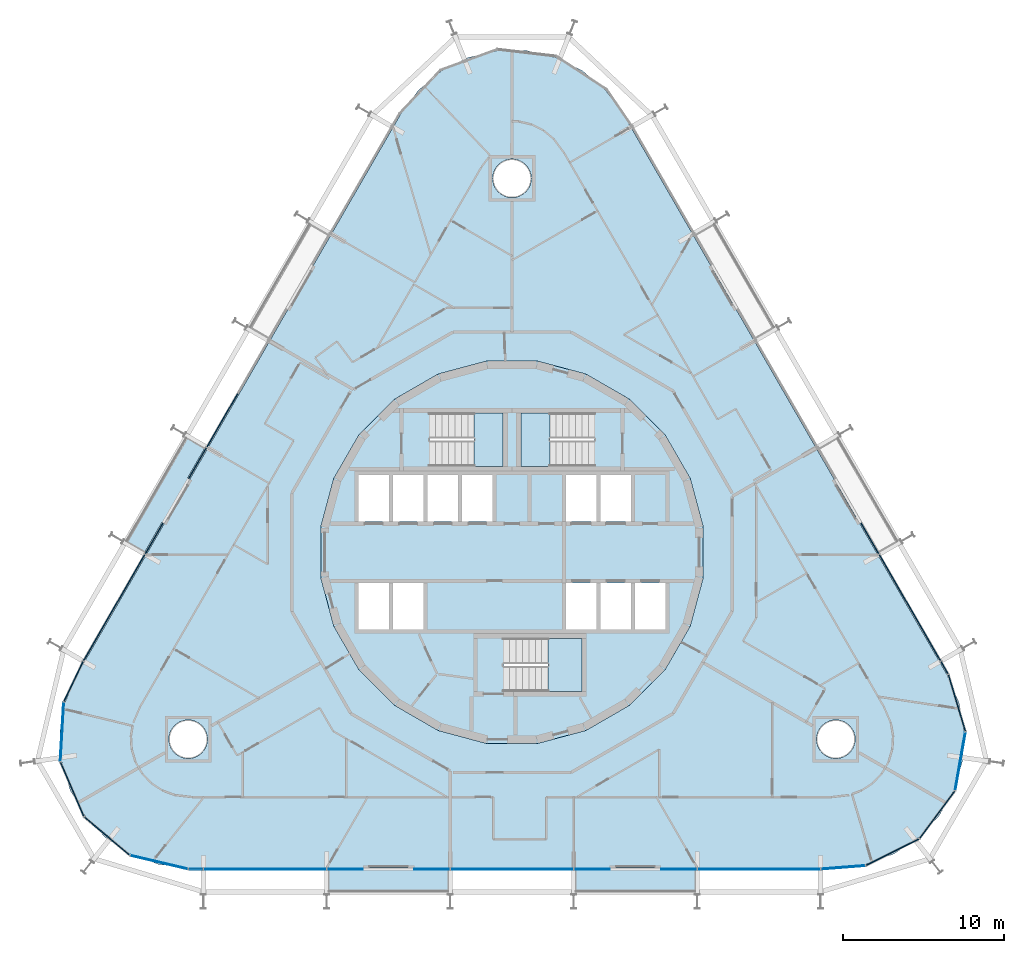
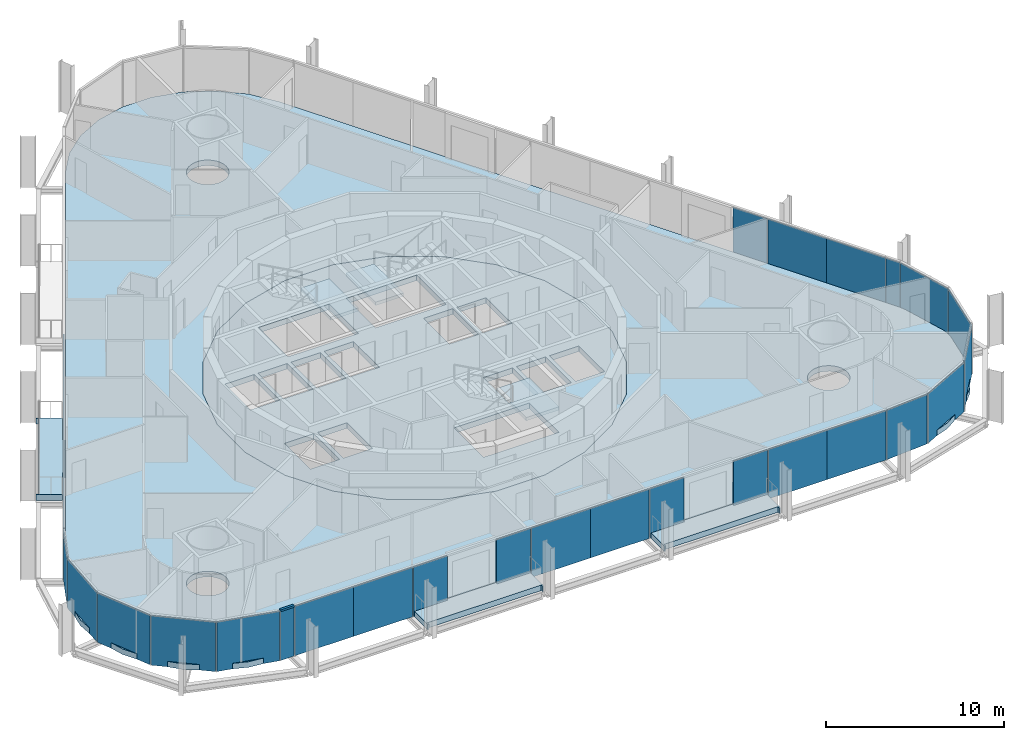
# One storey, part 11 of 19: 30 plates, 8 slabs, 1 member, 8 elements without a shape of their own.
"""IFC4 building model written with IfcOpenShell, lengths in metres."""

from ifc_helpers import new_model, si_unit, direction, frame, origin, origin_2d, place, context, subcontext, project, spatial, polyline, rectangle, outline, extrude, material, layer, layer_set, material_profile, profile_set, type_object, element, aggregate, save


model = new_model("IFC4")

# Units and contexts
model_context = context("Model", 3, precision=1e-05, world=origin(), true_north=direction((0.0, 1.0)))
body_context = subcontext(model_context, "Body", "Model", "MODEL_VIEW")
ifc_project = project(units=[si_unit("LENGTHUNIT", "METRE"), si_unit("AREAUNIT", "SQUARE_METRE"), si_unit("VOLUMEUNIT", "CUBIC_METRE"), si_unit("PLANEANGLEUNIT", "RADIAN"), si_unit("MASSUNIT", "GRAM", prefix="KILO")], contexts=[model_context])

# Site, building, storey
site_placement = place(None, origin())
site = spatial("IfcSite", under=ifc_project, at=site_placement, CompositionType="ELEMENT")
building_placement = place(site_placement, origin())
building = spatial("IfcBuilding", under=site, at=building_placement, Name="Spindle Arch Residences", CompositionType="ELEMENT")
storey_placement = place(building_placement, frame((0.0, 0.0, 45.39990234375)))
storey = spatial("IfcBuildingStorey", under=building, at=storey_placement, Name="L09", CompositionType="ELEMENT", Elevation=45.39990234375)

# Curtain wall, member
ifc_material_1 = material(Name="Aluminium bronze unitised frame with tinted glass", Category="aluminium")
ifc_layer_1 = layer(ifc_material_1, 0.159912109375)
ifc_layer_set_1 = layer_set([ifc_layer_1], Name="CW-D corner wall on the fillet arcs")
curtain_wall_type_1 = type_object("IfcCurtainWallType", Name="CW-D corner wall on the fillet arcs", PredefinedType="NOTDEFINED", material=ifc_layer_set_1)
curtain_wall_1_placement = place(storey_placement, origin())
curtain_wall_1 = element("IfcCurtainWall", 1, at=curtain_wall_1_placement, inside=storey, type_object=curtain_wall_type_1, Name="CW-D L09 run 5", PredefinedType="NOTDEFINED")
ifc_material_2 = material(Name="Aluminium bronze anodised transom", Category="aluminium")
ifc_material_profile = material_profile(ifc_material_2, rectangle(XDim=0.159912109375, YDim=0.1201171875, at=origin_2d()), Name="TR 120x160")
ifc_profile_set = profile_set([ifc_material_profile], Name="Aluminium bronze anodised transom")
member_type = type_object("IfcMemberType", Name="Bronze transom 120x160", PredefinedType="USERDEFINED", material=ifc_profile_set)
member_placement = place(storey_placement, frame((-20.113525390625, -19.7099609375, 3.06005859375), z_axis=(1.0, 0.0, 0.0), x_axis=(0.0, 1.0, 0.0)))
member = element("IfcMember", 2, at=member_placement, type_object=member_type, Name="CW-D transom 05", ObjectType="TRANSOM", PredefinedType="USERDEFINED", context=body_context, shape_type="SweptSolid", body=[
    extrude(rectangle(XDim=0.159912109375, YDim=0.1201171875, at=origin_2d()), origin(), (0.0, 0.0, 1.0), 0.88330078125),
])

# Slabs
ifc_material_3 = material(Name="Concrete C40/50", Category="concrete")
ifc_layer_2 = layer(ifc_material_3, 0.3798828125)
ifc_layer_set_2 = layer_set([ifc_layer_2], Name="Balcony slab 380")
slab_type_1 = type_object("IfcSlabType", Name="Balcony slab 380", PredefinedType="FLOOR", material=ifc_layer_set_2)
slab_1_placement = place(storey_placement, frame((0.0, 0.0, -0.3798828125)))
element("IfcSlab", 3, at=slab_1_placement, inside=storey, type_object=slab_type_1, Name="Balcony L09 bay 1", PredefinedType="FLOOR", context=body_context, shape_type="SweptSolid", body=[
    extrude(outline(polyline([(3.9150390625, -21.280029296875), (3.989990234375, -21.280029296875), (3.989990234375, -21.1298828125), (11.3701171875, -21.1298828125), (11.3701171875, -21.280029296875), (11.445068359375, -21.280029296875), (11.445068359375, -19.789794921875), (9.280029296875, -19.789794921875), (9.280029296875, -19.6298828125), (6.080078125, -19.6298828125), (6.080078125, -19.789794921875), (3.9150390625, -19.789794921875), (3.9150390625, -21.280029296875)])), origin(), (0.0, 0.0, 1.0), 0.3798828125),
])
slab_2_placement = place(storey_placement, frame((0.0, 0.0, -0.3798828125)))
element("IfcSlab", 4, at=slab_2_placement, inside=storey, type_object=slab_type_1, Name="Balcony L09 bay 17", PredefinedType="FLOOR", context=body_context, shape_type="SweptSolid", body=[
    extrude(outline(polyline([(-20.386474609375, 7.24951171875), (-20.424072265625, 7.1845703125), (-20.2939453125, 7.109375), (-23.984130859375, 0.71826171875), (-24.114013671875, 0.793212890625), (-24.151611328125, 0.728271484375), (-22.861083984375, -0.016845703125), (-21.778564453125, 1.858154296875), (-21.64013671875, 1.778076171875), (-20.0400390625, 4.549560546875), (-20.1787109375, 4.62939453125), (-19.09619140625, 6.50439453125), (-20.386474609375, 7.24951171875)])), origin(), (0.0, 0.0, 1.0), 0.3798828125),
])
slab_3_placement = place(storey_placement, frame((0.0, 0.0, -0.3798828125)))
element("IfcSlab", 5, at=slab_3_placement, inside=storey, type_object=slab_type_1, Name="Balcony L09 bay 23", PredefinedType="FLOOR", context=body_context, shape_type="SweptSolid", body=[
    extrude(outline(polyline([(-11.445068359375, -21.280029296875), (-11.3701171875, -21.280029296875), (-11.3701171875, -21.1298828125), (-3.989990234375, -21.1298828125), (-3.989990234375, -21.280029296875), (-3.9150390625, -21.280029296875), (-3.9150390625, -19.789794921875), (-6.080078125, -19.789794921875), (-6.080078125, -19.6298828125), (-9.280029296875, -19.6298828125), (-9.280029296875, -19.789794921875), (-11.445068359375, -19.789794921875), (-11.445068359375, -21.280029296875)])), origin(), (0.0, 0.0, 1.0), 0.3798828125),
])
ifc_material_4 = material(Name="Concrete C50/60", Category="concrete")
ifc_layer_3 = layer(ifc_material_4, 0.3798828125)
ifc_layer_set_3 = layer_set([ifc_layer_3], Name="Core floor slab 380")
slab_type_2 = type_object("IfcSlabType", Name="Core floor slab 380", PredefinedType="FLOOR", material=ifc_layer_set_3)
slab_4_placement = place(storey_placement, frame((0.0, 0.0, -0.3798828125)))
element("IfcSlab", 6, at=slab_4_placement, inside=storey, type_object=slab_type_2, Name="Core floor L09", PredefinedType="FLOOR", context=body_context, shape_type="SweptSolid", body=[
    extrude(outline(polyline([(1.56640625, -11.897216796875), (4.59228515625, -11.086669921875), (7.30517578125, -9.520263671875), (9.520263671875, -7.30517578125), (11.086669921875, -4.59228515625), (11.897216796875, -1.56640625), (11.897216796875, 1.56640625), (11.086669921875, 4.59228515625), (9.520263671875, 7.30517578125), (7.30517578125, 9.520263671875), (4.59228515625, 11.086669921875), (1.56640625, 11.897216796875), (-1.56640625, 11.897216796875), (-4.59228515625, 11.086669921875), (-7.30517578125, 9.520263671875), (-9.520263671875, 7.30517578125), (-11.086669921875, 4.59228515625), (-11.897216796875, 1.56640625), (-11.897216796875, -1.56640625), (-11.086669921875, -4.59228515625), (-9.520263671875, -7.30517578125), (-7.30517578125, -9.520263671875), (-4.59228515625, -11.086669921875), (-1.56640625, -11.897216796875), (1.56640625, -11.897216796875)]), holes=[polyline([(-9.550048828125, 1.89990234375), (-7.64990234375, 1.89990234375), (-7.64990234375, 4.800048828125), (-9.550048828125, 4.800048828125), (-9.550048828125, 1.89990234375)]), polyline([(-7.39990234375, 1.89990234375), (-5.5, 1.89990234375), (-5.5, 4.800048828125), (-7.39990234375, 4.800048828125), (-7.39990234375, 1.89990234375)]), polyline([(-5.25, 1.89990234375), (-3.35009765625, 1.89990234375), (-3.35009765625, 4.800048828125), (-5.25, 4.800048828125), (-5.25, 1.89990234375)]), polyline([(-3.10009765625, 1.89990234375), (-1.199951171875, 1.89990234375), (-1.199951171875, 4.800048828125), (-3.10009765625, 4.800048828125), (-3.10009765625, 1.89990234375)]), polyline([(3.35009765625, 1.89990234375), (5.25, 1.89990234375), (5.25, 4.800048828125), (3.35009765625, 4.800048828125), (3.35009765625, 1.89990234375)]), polyline([(5.5, 1.89990234375), (7.39990234375, 1.89990234375), (7.39990234375, 4.800048828125), (5.5, 4.800048828125), (5.5, 1.89990234375)]), polyline([(-9.550048828125, -4.800048828125), (-7.64990234375, -4.800048828125), (-7.64990234375, -1.89990234375), (-9.550048828125, -1.89990234375), (-9.550048828125, -4.800048828125)]), polyline([(-7.39990234375, -4.800048828125), (-5.5, -4.800048828125), (-5.5, -1.89990234375), (-7.39990234375, -1.89990234375), (-7.39990234375, -4.800048828125)]), polyline([(3.35009765625, -4.800048828125), (5.25, -4.800048828125), (5.25, -1.89990234375), (3.35009765625, -1.89990234375), (3.35009765625, -4.800048828125)]), polyline([(5.5, -4.800048828125), (7.39990234375, -4.800048828125), (7.39990234375, -1.89990234375), (5.5, -1.89990234375), (5.5, -4.800048828125)]), polyline([(7.64990234375, -4.800048828125), (9.550048828125, -4.800048828125), (9.550048828125, -1.89990234375), (7.64990234375, -1.89990234375), (7.64990234375, -4.800048828125)]), polyline([(5.1298828125, 8.669921875), (0.550048828125, 8.669921875), (0.550048828125, 5.35009765625), (5.1298828125, 5.35009765625), (5.1298828125, 8.669921875)]), polyline([(-5.1298828125, 5.35009765625), (-0.550048828125, 5.35009765625), (-0.550048828125, 8.669921875), (-5.1298828125, 8.669921875), (-5.1298828125, 5.35009765625)]), polyline([(-0.530029296875, -8.669921875), (4.35009765625, -8.669921875), (4.35009765625, -5.35009765625), (-0.530029296875, -5.35009765625), (-0.530029296875, -8.669921875)])]), origin(), (0.0, 0.0, 1.0), 0.3798828125),
])

# Stair, slab
ifc_material_5 = material(Name="Concrete C50/60", Category="concrete")
stair_type = type_object("IfcStairType", Name="Exit stair 16 risers", PredefinedType="HALF_TURN_STAIR", material=ifc_material_5)
stair_1_placement = place(storey_placement, origin())
stair_1 = element("IfcStair", 7, at=stair_1_placement, inside=storey, type_object=stair_type, Name="L09 Exit stair ST1", PredefinedType="HALF_TURN_STAIR")
ifc_material_6 = material(Name="Concrete C50/60", Category="concrete")
ifc_layer_4 = layer(ifc_material_6, 0.219970703125)
ifc_layer_set_4 = layer_set([ifc_layer_4], Name="Exit stair landing 220")
slab_type_3 = type_object("IfcSlabType", Name="Exit stair landing 220", PredefinedType="LANDING", material=ifc_layer_set_4)
slab_5_placement = place(storey_placement, frame((0.0, 0.0, 1.530029296875)))
slab_5 = element("IfcSlab", 8, at=slab_5_placement, type_object=slab_type_3, Name="ST1 landing 1", PredefinedType="LANDING", context=body_context, shape_type="SweptSolid", body=[
    extrude(outline(polyline([(2.3701171875, 8.669921875), (0.550048828125, 8.669921875), (0.550048828125, 5.35009765625), (2.3701171875, 5.35009765625), (2.3701171875, 8.669921875)])), origin(), (0.0, 0.0, 1.0), 0.219970703125),
])
aggregate(stair_1, [slab_5])

stair_2_placement = place(storey_placement, origin())
stair_2 = element("IfcStair", 9, at=stair_2_placement, inside=storey, type_object=stair_type, Name="L09 Exit stair ST2", PredefinedType="HALF_TURN_STAIR")
slab_6_placement = place(storey_placement, frame((0.0, 0.0, 1.530029296875)))
slab_6 = element("IfcSlab", 10, at=slab_6_placement, type_object=slab_type_3, Name="ST2 landing 1", PredefinedType="LANDING", context=body_context, shape_type="SweptSolid", body=[
    extrude(outline(polyline([(-2.3701171875, 5.35009765625), (-0.550048828125, 5.35009765625), (-0.550048828125, 8.669921875), (-2.3701171875, 8.669921875), (-2.3701171875, 5.35009765625)])), origin(), (0.0, 0.0, 1.0), 0.219970703125),
])
aggregate(stair_2, [slab_6])

stair_3_placement = place(storey_placement, origin())
stair_3 = element("IfcStair", 11, at=stair_3_placement, inside=storey, type_object=stair_type, Name="L09 Exit stair ST3", PredefinedType="HALF_TURN_STAIR")
slab_7_placement = place(storey_placement, frame((0.0, 0.0, 1.530029296875)))
slab_7 = element("IfcSlab", 12, at=slab_7_placement, type_object=slab_type_3, Name="ST3 landing 1", PredefinedType="LANDING", context=body_context, shape_type="SweptSolid", body=[
    extrude(outline(polyline([(2.22998046875, -8.669921875), (4.35009765625, -8.669921875), (4.35009765625, -5.35009765625), (2.22998046875, -5.35009765625), (2.22998046875, -8.669921875)])), origin(), (0.0, 0.0, 1.0), 0.219970703125),
])
aggregate(stair_3, [slab_7])

# Slab
ifc_material_7 = material(Name="Concrete C40/50", Category="concrete")
ifc_layer_5 = layer(ifc_material_7, 0.3798828125)
ifc_layer_set_5 = layer_set([ifc_layer_5], Name="Floor slab 380")
slab_type_4 = type_object("IfcSlabType", Name="Floor slab 380", PredefinedType="FLOOR", material=ifc_layer_set_5)
slab_8_placement = place(storey_placement, frame((0.0, 0.0, -0.3798828125)))
element("IfcSlab", 13, at=slab_8_placement, inside=storey, type_object=slab_type_4, Name="Floor slab L09", PredefinedType="FLOOR", context=body_context, shape_type="SweptSolid", body=[
    extrude(outline(polyline([(-21.988525390625, -19.414306640625), (-23.73388671875, -18.779052734375), (-25.285888671875, -17.75830078125), (-26.560546875, -16.4072265625), (-27.4892578125, -14.798583984375), (-28.022216796875, -13.01904296875), (-28.130126953125, -11.164794921875), (-27.8076171875, -9.33544921875), (-27.07177734375, -7.6298828125), (-6.92822265625, 27.259765625), (-5.819091796875, 28.749755859375), (-4.39599609375, 29.943603515625), (-2.736083984375, 30.77734375), (-0.9287109375, 31.205810546875), (0.9287109375, 31.205810546875), (2.736083984375, 30.77734375), (4.39599609375, 29.943603515625), (5.819091796875, 28.749755859375), (6.92822265625, 27.259765625), (27.07177734375, -7.6298828125), (27.8076171875, -9.33544921875), (28.130126953125, -11.164794921875), (28.022216796875, -13.01904296875), (27.4892578125, -14.798583984375), (26.560546875, -16.4072265625), (25.285888671875, -17.75830078125), (23.73388671875, -18.779052734375), (21.988525390625, -19.414306640625), (20.1435546875, -19.6298828125), (0.0, -19.6298828125), (-20.1435546875, -19.6298828125), (-21.988525390625, -19.414306640625)]), holes=[polyline([(7.30517578125, -9.520263671875), (9.520263671875, -7.30517578125), (11.086669921875, -4.59228515625), (11.897216796875, -1.56640625), (11.897216796875, 1.56640625), (11.086669921875, 4.59228515625), (9.520263671875, 7.30517578125), (7.30517578125, 9.520263671875), (4.59228515625, 11.086669921875), (1.56640625, 11.897216796875), (-1.56640625, 11.897216796875), (-4.59228515625, 11.086669921875), (-7.30517578125, 9.520263671875), (-9.520263671875, 7.30517578125), (-11.086669921875, 4.59228515625), (-11.897216796875, 1.56640625), (-11.897216796875, -1.56640625), (-11.086669921875, -4.59228515625), (-9.520263671875, -7.30517578125), (-7.30517578125, -9.520263671875), (-4.59228515625, -11.086669921875), (-1.56640625, -11.897216796875), (1.56640625, -11.897216796875), (4.59228515625, -11.086669921875), (7.30517578125, -9.520263671875)]), polyline([(-19.295166015625, -12.478515625), (-19.145751953125, -12.296630859375), (-19.034912109375, -12.089111328125), (-18.966796875, -11.864013671875), (-18.943603515625, -11.6298828125), (-18.966796875, -11.395751953125), (-19.034912109375, -11.170654296875), (-19.145751953125, -10.963134765625), (-19.295166015625, -10.781494140625), (-19.476806640625, -10.632080078125), (-19.684326171875, -10.521240234375), (-19.909423828125, -10.452880859375), (-20.1435546875, -10.429931640625), (-20.377685546875, -10.452880859375), (-20.602783203125, -10.521240234375), (-20.810302734375, -10.632080078125), (-20.9921875, -10.781494140625), (-21.141357421875, -10.963134765625), (-21.252197265625, -11.170654296875), (-21.320556640625, -11.395751953125), (-21.343505859375, -11.6298828125), (-21.320556640625, -11.864013671875), (-21.252197265625, -12.089111328125), (-21.141357421875, -12.296630859375), (-20.9921875, -12.478515625), (-20.810302734375, -12.627685546875), (-20.602783203125, -12.738525390625), (-20.377685546875, -12.806884765625), (-20.1435546875, -12.829833984375), (-19.909423828125, -12.806884765625), (-19.684326171875, -12.738525390625), (-19.476806640625, -12.627685546875), (-19.295166015625, -12.478515625)]), polyline([(0.848388671875, 22.411376953125), (0.997802734375, 22.593017578125), (1.108642578125, 22.800537109375), (1.177001953125, 23.025634765625), (1.199951171875, 23.259765625), (1.177001953125, 23.493896484375), (1.108642578125, 23.718994140625), (0.997802734375, 23.926513671875), (0.848388671875, 24.1083984375), (0.666748046875, 24.257568359375), (0.459228515625, 24.368408203125), (0.234130859375, 24.436767578125), (0.0, 24.459716796875), (-0.234130859375, 24.436767578125), (-0.459228515625, 24.368408203125), (-0.666748046875, 24.257568359375), (-0.848388671875, 24.1083984375), (-0.997802734375, 23.926513671875), (-1.108642578125, 23.718994140625), (-1.177001953125, 23.493896484375), (-1.199951171875, 23.259765625), (-1.177001953125, 23.025634765625), (-1.108642578125, 22.800537109375), (-0.997802734375, 22.593017578125), (-0.848388671875, 22.411376953125), (-0.666748046875, 22.261962890625), (-0.459228515625, 22.151123046875), (-0.234130859375, 22.0830078125), (0.0, 22.059814453125), (0.234130859375, 22.0830078125), (0.459228515625, 22.151123046875), (0.666748046875, 22.261962890625), (0.848388671875, 22.411376953125)]), polyline([(20.9921875, -12.478515625), (21.141357421875, -12.296630859375), (21.252197265625, -12.089111328125), (21.320556640625, -11.864013671875), (21.343505859375, -11.6298828125), (21.320556640625, -11.395751953125), (21.252197265625, -11.170654296875), (21.141357421875, -10.963134765625), (20.9921875, -10.781494140625), (20.810302734375, -10.632080078125), (20.602783203125, -10.521240234375), (20.377685546875, -10.452880859375), (20.1435546875, -10.429931640625), (19.909423828125, -10.452880859375), (19.684326171875, -10.521240234375), (19.476806640625, -10.632080078125), (19.295166015625, -10.781494140625), (19.145751953125, -10.963134765625), (19.034912109375, -11.170654296875), (18.966796875, -11.395751953125), (18.943603515625, -11.6298828125), (18.966796875, -11.864013671875), (19.034912109375, -12.089111328125), (19.145751953125, -12.296630859375), (19.295166015625, -12.478515625), (19.476806640625, -12.627685546875), (19.684326171875, -12.738525390625), (19.909423828125, -12.806884765625), (20.1435546875, -12.829833984375), (20.377685546875, -12.806884765625), (20.602783203125, -12.738525390625), (20.810302734375, -12.627685546875), (20.9921875, -12.478515625)])]), origin(), (0.0, 0.0, 1.0), 0.3798828125),
])

# Curtain wall, plates
curtain_wall_2_placement = place(storey_placement, origin())
curtain_wall_2 = element("IfcCurtainWall", 14, at=curtain_wall_2_placement, inside=storey, type_object=curtain_wall_type_1, Name="CW-D L09 run 1", PredefinedType="NOTDEFINED")
ifc_material_8 = material(Name="Tinted double glazing over aluminium faced non-combustible spandrel zone (K0)", Category="aluminium")
ifc_layer_6 = layer(ifc_material_8, 0.06005859375)
ifc_layer_set_6 = layer_set([ifc_layer_6], Name="Unitised glass panel with E 60 spandrel zone")
plate_type = type_object("IfcPlateType", Name="Unitised glass panel with E 60 spandrel zone", PredefinedType="CURTAIN_PANEL", material=ifc_layer_set_6)
plate_1_placement = place(storey_placement, frame((20.603515625, -19.60107421875, -0.3798828125), z_axis=(0.0, 0.0, 1.0), x_axis=(0.997002907861, 0.077364085451, 0.0)))
plate_1 = element("IfcPlate", 15, at=plate_1_placement, type_object=plate_type, Name="CW-D unit 00", PredefinedType="CURTAIN_PANEL", context=body_context, shape_type="SweptSolid", body=[
    extrude(rectangle(XDim=2.755126953125, YDim=0.06005859375, at=origin_2d()), origin(), (0.0, 0.0, 1.0), 3.3798828125),
])
plate_2_placement = place(storey_placement, frame((23.672119140625, -18.65576171875, -0.3798828125), z_axis=(0.0, 0.0, 1.0), x_axis=(0.893632642326, 0.448799176213, 0.0)))
plate_2 = element("IfcPlate", 16, at=plate_2_placement, type_object=plate_type, Name="CW-D unit 01", PredefinedType="CURTAIN_PANEL", context=body_context, shape_type="SweptSolid", body=[
    extrude(rectangle(XDim=3.666748046875, YDim=0.06005859375, at=origin_2d()), origin(), (0.0, 0.0, 1.0), 3.3798828125),
])
plate_3_placement = place(storey_placement, frame((26.449951171875, -16.324951171875, -0.3798828125), z_axis=(0.0, 0.0, 1.0), x_axis=(0.597158595823, 0.802123189687, 0.0)))
plate_3 = element("IfcPlate", 17, at=plate_3_placement, type_object=plate_type, Name="CW-D unit 02", PredefinedType="CURTAIN_PANEL", context=body_context, shape_type="SweptSolid", body=[
    extrude(rectangle(XDim=3.666748046875, YDim=0.06005859375, at=origin_2d()), origin(), (0.0, 0.0, 1.0), 3.3798828125),
])
plate_4_placement = place(storey_placement, frame((27.88623046875, -12.9951171875, -0.3798828125), z_axis=(0.0, 0.0, 1.0), x_axis=(0.173648181019, 0.984807752421, 0.0)))
plate_4 = element("IfcPlate", 18, at=plate_4_placement, type_object=plate_type, Name="CW-D unit 03", PredefinedType="CURTAIN_PANEL", context=body_context, shape_type="SweptSolid", body=[
    extrude(rectangle(XDim=3.666748046875, YDim=0.06005859375, at=origin_2d()), origin(), (0.0, 0.0, 1.0), 3.3798828125),
])
plate_5_placement = place(storey_placement, frame((27.675537109375, -9.375, -0.3798828125), z_axis=(0.0, 0.0, 1.0), x_axis=(-0.28680323051, 0.957989512975, 0.0)))
plate_5 = element("IfcPlate", 19, at=plate_5_placement, type_object=plate_type, Name="CW-D unit 04", PredefinedType="CURTAIN_PANEL", context=body_context, shape_type="SweptSolid", body=[
    extrude(rectangle(XDim=3.666748046875, YDim=0.06005859375, at=origin_2d()), origin(), (0.0, 0.0, 1.0), 3.3798828125),
])
plate_6_placement = place(storey_placement, frame((26.9052734375, -7.181396484375, -0.3798828125), z_axis=(0.0, 0.0, 1.0), x_axis=(-0.5, 0.866025403784, 0.0)))
plate_6 = element("IfcPlate", 20, at=plate_6_placement, type_object=plate_type, Name="CW-D unit 05", PredefinedType="CURTAIN_PANEL", context=body_context, shape_type="SweptSolid", body=[
    extrude(rectangle(XDim=0.88330078125, YDim=0.06005859375, at=origin_2d()), origin(), (0.0, 0.0, 1.0), 3.3798828125),
])
aggregate(curtain_wall_2, [plate_1, plate_2, plate_3, plate_4, plate_5, plate_6])

ifc_material_9 = material(Name="Aluminium bronze unitised frame with tinted glass", Category="aluminium")
ifc_layer_7 = layer(ifc_material_9, 0.159912109375)
ifc_layer_set_7 = layer_set([ifc_layer_7], Name="CW-C typical residential unitised wall")
curtain_wall_type_2 = type_object("IfcCurtainWallType", Name="CW-C typical residential unitised wall", PredefinedType="NOTDEFINED", material=ifc_layer_set_7)
curtain_wall_3_placement = place(storey_placement, origin())
curtain_wall_3 = element("IfcCurtainWall", 21, at=curtain_wall_3_placement, inside=storey, type_object=curtain_wall_type_2, Name="CW-C L09 run 2", PredefinedType="NOTDEFINED")
plate_7_placement = place(storey_placement, frame((25.701904296875, -5.09716796875, -0.3798828125), z_axis=(0.0, 0.0, 1.0), x_axis=(-0.5, 0.866025403784, 0.0)))
plate_7 = element("IfcPlate", 22, at=plate_7_placement, type_object=plate_type, Name="CW-C unit 05A", PredefinedType="CURTAIN_PANEL", context=body_context, shape_type="SweptSolid", body=[
    extrude(rectangle(XDim=3.81005859375, YDim=0.06005859375, at=origin_2d()), origin(), (0.0, 0.0, 1.0), 3.3798828125),
])
plate_8_placement = place(storey_placement, frame((23.796875, -1.797607421875, -0.3798828125), z_axis=(0.0, 0.0, 1.0), x_axis=(-0.5, 0.866025403784, 0.0)))
plate_8 = element("IfcPlate", 23, at=plate_8_placement, type_object=plate_type, Name="CW-C unit 05B", PredefinedType="CURTAIN_PANEL", context=body_context, shape_type="SweptSolid", body=[
    extrude(rectangle(XDim=3.81005859375, YDim=0.06005859375, at=origin_2d()), origin(), (0.0, 0.0, 1.0), 3.3798828125),
])
plate_9_placement = place(storey_placement, frame((22.26171875, 0.861083984375, -0.3798828125), z_axis=(0.0, 0.0, 1.0), x_axis=(-0.5, 0.866025403784, 0.0)))
plate_9 = element("IfcPlate", 24, at=plate_9_placement, type_object=plate_type, Name="CW-C unit 06L", PredefinedType="CURTAIN_PANEL", context=body_context, shape_type="SweptSolid", body=[
    extrude(rectangle(XDim=2.2099609375, YDim=0.06005859375, at=origin_2d()), origin(), (0.0, 0.0, 1.0), 3.3798828125),
])
aggregate(curtain_wall_3, [plate_7, plate_8, plate_9])

curtain_wall_4_placement = place(storey_placement, origin())
curtain_wall_4 = element("IfcCurtainWall", 25, at=curtain_wall_4_placement, inside=storey, type_object=curtain_wall_type_2, Name="CW-C L09 run 4", PredefinedType="NOTDEFINED")
plate_10_placement = place(storey_placement, frame((-18.021728515625, 8.205078125, -0.3798828125), z_axis=(0.0, 0.0, 1.0), x_axis=(-0.5, -0.866025403784, 0.0)))
plate_10 = element("IfcPlate", 26, at=plate_10_placement, type_object=plate_type, Name="CW-C unit 15B", PredefinedType="CURTAIN_PANEL", context=body_context, shape_type="SweptSolid", body=[
    extrude(rectangle(XDim=3.81005859375, YDim=0.06005859375, at=origin_2d()), origin(), (0.0, 0.0, 1.0), 3.3798828125),
])
plate_11_placement = place(storey_placement, frame((-19.556884765625, 5.54638671875, -0.3798828125), z_axis=(0.0, 0.0, 1.0), x_axis=(-0.5, -0.866025403784, 0.0)))
plate_11 = element("IfcPlate", 27, at=plate_11_placement, type_object=plate_type, Name="CW-C unit 16L", PredefinedType="CURTAIN_PANEL", context=body_context, shape_type="SweptSolid", body=[
    extrude(rectangle(XDim=2.2099609375, YDim=0.06005859375, at=origin_2d()), origin(), (0.0, 0.0, 1.0), 3.3798828125),
])
plate_12_placement = place(storey_placement, frame((-22.26171875, 0.861083984375, -0.3798828125), z_axis=(0.0, 0.0, 1.0), x_axis=(-0.5, -0.866025403784, 0.0)))
plate_12 = element("IfcPlate", 28, at=plate_12_placement, type_object=plate_type, Name="CW-C unit 16R", PredefinedType="CURTAIN_PANEL", context=body_context, shape_type="SweptSolid", body=[
    extrude(rectangle(XDim=2.2099609375, YDim=0.06005859375, at=origin_2d()), origin(), (0.0, 0.0, 1.0), 3.3798828125),
])
plate_13_placement = place(storey_placement, frame((-23.796875, -1.797607421875, -0.3798828125), z_axis=(0.0, 0.0, 1.0), x_axis=(-0.5, -0.866025403784, 0.0)))
plate_13 = element("IfcPlate", 29, at=plate_13_placement, type_object=plate_type, Name="CW-C unit 17A", PredefinedType="CURTAIN_PANEL", context=body_context, shape_type="SweptSolid", body=[
    extrude(rectangle(XDim=3.81005859375, YDim=0.06005859375, at=origin_2d()), origin(), (0.0, 0.0, 1.0), 3.3798828125),
])
plate_14_placement = place(storey_placement, frame((-25.701904296875, -5.09716796875, -0.3798828125), z_axis=(0.0, 0.0, 1.0), x_axis=(-0.5, -0.866025403784, 0.0)))
plate_14 = element("IfcPlate", 30, at=plate_14_placement, type_object=plate_type, Name="CW-C unit 17B", PredefinedType="CURTAIN_PANEL", context=body_context, shape_type="SweptSolid", body=[
    extrude(rectangle(XDim=3.81005859375, YDim=0.06005859375, at=origin_2d()), origin(), (0.0, 0.0, 1.0), 3.3798828125),
])
aggregate(curtain_wall_4, [plate_10, plate_11, plate_12, plate_13, plate_14])

# Plate
plate_15_placement = place(storey_placement, frame((-27.27685546875, -8.042724609375, -0.3798828125), z_axis=(0.0, 0.0, 1.0), x_axis=(-0.431502189519, -0.902111889092, 0.0)))
plate_15 = element("IfcPlate", 31, at=plate_15_placement, type_object=plate_type, Name="CW-D unit 00", PredefinedType="CURTAIN_PANEL", context=body_context, shape_type="SweptSolid", body=[
    extrude(rectangle(XDim=2.755126953125, YDim=0.06005859375, at=origin_2d()), origin(), (0.0, 0.0, 1.0), 3.3798828125),
])

plate_16_placement = place(storey_placement, frame((-27.992431640625, -11.1728515625, -0.3798828125), z_axis=(0.0, 0.0, 1.0), x_axis=(-0.058144829968, -0.99830815821, 0.0)))
plate_16 = element("IfcPlate", 32, at=plate_16_placement, type_object=plate_type, Name="CW-D unit 01", PredefinedType="CURTAIN_PANEL", context=body_context, shape_type="SweptSolid", body=[
    extrude(rectangle(XDim=3.666748046875, YDim=0.06005859375, at=origin_2d()), origin(), (0.0, 0.0, 1.0), 3.3798828125),
])

plate_17_placement = place(storey_placement, frame((-27.36279296875, -14.743896484375, -0.3798828125), z_axis=(0.0, 0.0, 1.0), x_axis=(0.396079766691, -0.918216106599, 0.0)))
plate_17 = element("IfcPlate", 33, at=plate_17_placement, type_object=plate_type, Name="CW-D unit 02", PredefinedType="CURTAIN_PANEL", context=body_context, shape_type="SweptSolid", body=[
    extrude(rectangle(XDim=3.666748046875, YDim=0.06005859375, at=origin_2d()), origin(), (0.0, 0.0, 1.0), 3.3798828125),
])

plate_18_placement = place(storey_placement, frame((-25.197265625, -17.652587890625, -0.3798828125), z_axis=(0.0, 0.0, 1.0), x_axis=(0.766044445239, -0.64278760716, 0.0)))
plate_18 = element("IfcPlate", 34, at=plate_18_placement, type_object=plate_type, Name="CW-D unit 03", PredefinedType="CURTAIN_PANEL", context=body_context, shape_type="SweptSolid", body=[
    extrude(rectangle(XDim=3.666748046875, YDim=0.06005859375, at=origin_2d()), origin(), (0.0, 0.0, 1.0), 3.3798828125),
])

plate_19_placement = place(storey_placement, frame((-21.956787109375, -19.2802734375, -0.3798828125), z_axis=(0.0, 0.0, 1.0), x_axis=(0.973044871028, -0.230615868852, 0.0)))
plate_19 = element("IfcPlate", 35, at=plate_19_placement, type_object=plate_type, Name="CW-D unit 04", PredefinedType="CURTAIN_PANEL", context=body_context, shape_type="SweptSolid", body=[
    extrude(rectangle(XDim=3.666748046875, YDim=0.06005859375, at=origin_2d()), origin(), (0.0, 0.0, 1.0), 3.3798828125),
])

plate_20_placement = place(storey_placement, frame((-19.671875, -19.7099609375, -0.3798828125), z_axis=(0.0, 0.0, 1.0), x_axis=(1.0, 0.0, 0.0)))
plate_20 = element("IfcPlate", 36, at=plate_20_placement, type_object=plate_type, Name="CW-D unit 05", PredefinedType="CURTAIN_PANEL", context=body_context, shape_type="SweptSolid", body=[
    extrude(rectangle(XDim=0.88330078125, YDim=0.06005859375, at=origin_2d()), origin(), (0.0, 0.0, 1.0), 3.3798828125),
])

aggregate(curtain_wall_1, [plate_15, plate_16, plate_17, plate_18, plate_19, member, plate_20])

# Curtain wall, plates
curtain_wall_5_placement = place(storey_placement, origin())
curtain_wall_5 = element("IfcCurtainWall", 37, at=curtain_wall_5_placement, inside=storey, type_object=curtain_wall_type_2, Name="CW-C L09 run 6", PredefinedType="NOTDEFINED")
plate_21_placement = place(storey_placement, frame((-17.26513671875, -19.7099609375, -0.3798828125), z_axis=(0.0, 0.0, 1.0), x_axis=(1.0, 0.0, 0.0)))
plate_21 = element("IfcPlate", 38, at=plate_21_placement, type_object=plate_type, Name="CW-C unit 21A", PredefinedType="CURTAIN_PANEL", context=body_context, shape_type="SweptSolid", body=[
    extrude(rectangle(XDim=3.81005859375, YDim=0.06005859375, at=origin_2d()), origin(), (0.0, 0.0, 1.0), 3.3798828125),
])
plate_22_placement = place(storey_placement, frame((-13.455078125, -19.7099609375, -0.3798828125), z_axis=(0.0, 0.0, 1.0), x_axis=(1.0, 0.0, 0.0)))
plate_22 = element("IfcPlate", 39, at=plate_22_placement, type_object=plate_type, Name="CW-C unit 21B", PredefinedType="CURTAIN_PANEL", context=body_context, shape_type="SweptSolid", body=[
    extrude(rectangle(XDim=3.81005859375, YDim=0.06005859375, at=origin_2d()), origin(), (0.0, 0.0, 1.0), 3.3798828125),
])
plate_23_placement = place(storey_placement, frame((-10.385009765625, -19.7099609375, -0.3798828125), z_axis=(0.0, 0.0, 1.0), x_axis=(1.0, 0.0, 0.0)))
plate_23 = element("IfcPlate", 40, at=plate_23_placement, type_object=plate_type, Name="CW-C unit 22L", PredefinedType="CURTAIN_PANEL", context=body_context, shape_type="SweptSolid", body=[
    extrude(rectangle(XDim=2.2099609375, YDim=0.06005859375, at=origin_2d()), origin(), (0.0, 0.0, 1.0), 3.3798828125),
])
plate_24_placement = place(storey_placement, frame((-4.97509765625, -19.7099609375, -0.3798828125), z_axis=(0.0, 0.0, 1.0), x_axis=(1.0, 0.0, 0.0)))
plate_24 = element("IfcPlate", 41, at=plate_24_placement, type_object=plate_type, Name="CW-C unit 22R", PredefinedType="CURTAIN_PANEL", context=body_context, shape_type="SweptSolid", body=[
    extrude(rectangle(XDim=2.2099609375, YDim=0.06005859375, at=origin_2d()), origin(), (0.0, 0.0, 1.0), 3.3798828125),
])
plate_25_placement = place(storey_placement, frame((-1.905029296875, -19.7099609375, -0.3798828125), z_axis=(0.0, 0.0, 1.0), x_axis=(1.0, 0.0, 0.0)))
plate_25 = element("IfcPlate", 42, at=plate_25_placement, type_object=plate_type, Name="CW-C unit 23A", PredefinedType="CURTAIN_PANEL", context=body_context, shape_type="SweptSolid", body=[
    extrude(rectangle(XDim=3.81005859375, YDim=0.06005859375, at=origin_2d()), origin(), (0.0, 0.0, 1.0), 3.3798828125),
])
plate_26_placement = place(storey_placement, frame((1.905029296875, -19.7099609375, -0.3798828125), z_axis=(0.0, 0.0, 1.0), x_axis=(1.0, 0.0, 0.0)))
plate_26 = element("IfcPlate", 43, at=plate_26_placement, type_object=plate_type, Name="CW-C unit 23B", PredefinedType="CURTAIN_PANEL", context=body_context, shape_type="SweptSolid", body=[
    extrude(rectangle(XDim=3.81005859375, YDim=0.06005859375, at=origin_2d()), origin(), (0.0, 0.0, 1.0), 3.3798828125),
])
plate_27_placement = place(storey_placement, frame((4.97509765625, -19.7099609375, -0.3798828125), z_axis=(0.0, 0.0, 1.0), x_axis=(1.0, 0.0, 0.0)))
plate_27 = element("IfcPlate", 44, at=plate_27_placement, type_object=plate_type, Name="CW-C unit 00L", PredefinedType="CURTAIN_PANEL", context=body_context, shape_type="SweptSolid", body=[
    extrude(rectangle(XDim=2.2099609375, YDim=0.06005859375, at=origin_2d()), origin(), (0.0, 0.0, 1.0), 3.3798828125),
])
plate_28_placement = place(storey_placement, frame((10.385009765625, -19.7099609375, -0.3798828125), z_axis=(0.0, 0.0, 1.0), x_axis=(1.0, 0.0, 0.0)))
plate_28 = element("IfcPlate", 45, at=plate_28_placement, type_object=plate_type, Name="CW-C unit 00R", PredefinedType="CURTAIN_PANEL", context=body_context, shape_type="SweptSolid", body=[
    extrude(rectangle(XDim=2.2099609375, YDim=0.06005859375, at=origin_2d()), origin(), (0.0, 0.0, 1.0), 3.3798828125),
])
plate_29_placement = place(storey_placement, frame((13.455078125, -19.7099609375, -0.3798828125), z_axis=(0.0, 0.0, 1.0), x_axis=(1.0, 0.0, 0.0)))
plate_29 = element("IfcPlate", 46, at=plate_29_placement, type_object=plate_type, Name="CW-C unit 01A", PredefinedType="CURTAIN_PANEL", context=body_context, shape_type="SweptSolid", body=[
    extrude(rectangle(XDim=3.81005859375, YDim=0.06005859375, at=origin_2d()), origin(), (0.0, 0.0, 1.0), 3.3798828125),
])
plate_30_placement = place(storey_placement, frame((17.26513671875, -19.7099609375, -0.3798828125), z_axis=(0.0, 0.0, 1.0), x_axis=(1.0, 0.0, 0.0)))
plate_30 = element("IfcPlate", 47, at=plate_30_placement, type_object=plate_type, Name="CW-C unit 01B", PredefinedType="CURTAIN_PANEL", context=body_context, shape_type="SweptSolid", body=[
    extrude(rectangle(XDim=3.81005859375, YDim=0.06005859375, at=origin_2d()), origin(), (0.0, 0.0, 1.0), 3.3798828125),
])
aggregate(curtain_wall_5, [plate_21, plate_22, plate_23, plate_24, plate_25, plate_26, plate_27, plate_28, plate_29, plate_30])

save(model, "model.ifc")
